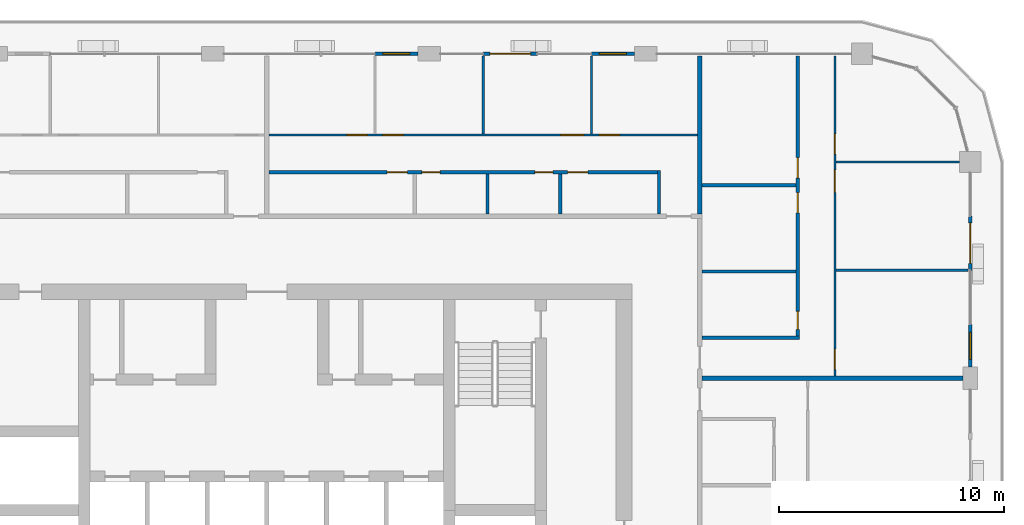
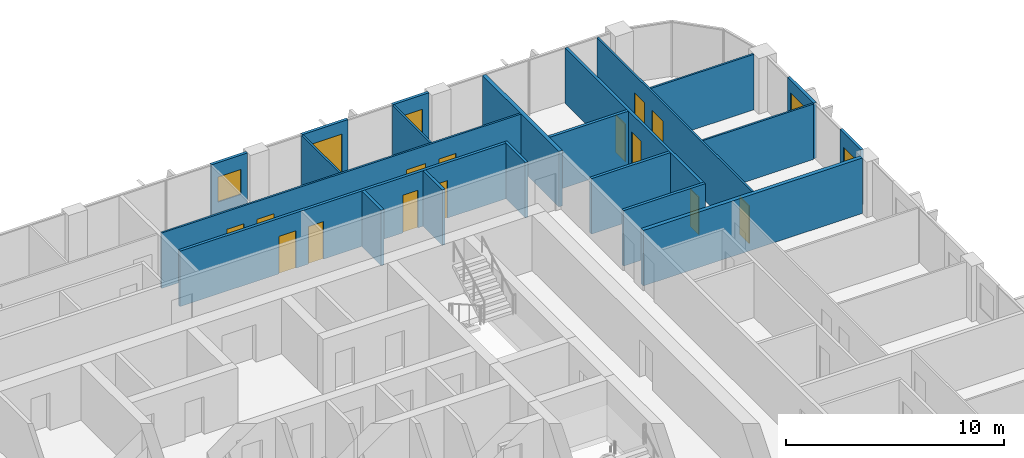
# One storey, part 15 of 22: 21 walls, 16 doors, 3 windows, 19 openings.
"""IFC4 building model written with IfcOpenShell, lengths in metres."""

from ifc_helpers import new_model, si_unit, direction, frame, frame_2d, origin, place, context, subcontext, project, spatial, rectangle, extrude, material, layer, layer_set, type_object, element, fill, save


model = new_model("IFC4")

# Units and contexts
model_context = context("Model", 3, precision=1e-05, world=origin(), true_north=direction((0.0, 1.0)))
body_context = subcontext(model_context, "Body", "Model", "MODEL_VIEW")
ifc_project = project(units=[si_unit("LENGTHUNIT", "METRE"), si_unit("AREAUNIT", "SQUARE_METRE"), si_unit("VOLUMEUNIT", "CUBIC_METRE"), si_unit("PLANEANGLEUNIT", "RADIAN"), si_unit("MASSUNIT", "GRAM", prefix="KILO")], contexts=[model_context])

# Site, building, storey
site_placement = place(None, origin())
site = spatial("IfcSite", under=ifc_project, at=site_placement, CompositionType="ELEMENT")
building_placement = place(site_placement, origin())
building = spatial("IfcBuilding", under=site, at=building_placement, Name="Madar Terraces", CompositionType="ELEMENT")
storey_placement = place(building_placement, frame((0.0, 0.0, 199.89990234375)))
storey = spatial("IfcBuildingStorey", under=building, at=storey_placement, Name="L52", CompositionType="ELEMENT", Elevation=199.89990234375)

# Wall, opening, window
ifc_material_1 = material(Name="Aluminium composite panel, black, over insulated backing", Category="aluminium")
ifc_layer_1 = layer(ifc_material_1, 0.14990234375)
ifc_layer_set_1 = layer_set([ifc_layer_1], Name="Facade bay panel 150")
wall_type_1 = type_object("IfcWallType", Name="Facade bay panel 150", PredefinedType="SOLIDWALL", material=ifc_layer_set_1)
wall_1_placement = place(storey_placement, frame((62.39990234375, 34.10009765625, 0.0), z_axis=(0.0, 0.0, 1.0), x_axis=(0.0, 1.0, 0.0)))
wall_1 = element("IfcWall", 1, at=wall_1_placement, inside=storey, type_object=wall_type_1, Name="Facade bay panel", PredefinedType="SOLIDWALL", context=body_context, shape_type="SweptSolid", body=[
    extrude(rectangle(XDim=1.89990234375, YDim=0.14990234375, at=frame_2d((0.949951171875, 0.0))), origin(), (0.0, 0.0, 1.0), 3.10009765625),
])
opening_1_placement = place(wall_1_placement, frame((0.35009765625, 0.0, 0.89990234375)))
opening_1 = element("IfcOpeningElement", 2, at=opening_1_placement, cuts=wall_1, Name="Opening W1", PredefinedType="OPENING", context=body_context, shape_type="SweptSolid", body=[
    extrude(rectangle(XDim=1.199951171875, YDim=1.39990234375, at=frame_2d((0.60009765625, 0.699951171875))), frame((0.0, 0.0849609375, 0.0), z_axis=(0.0, -1.0, 0.0), x_axis=(1.0, 0.0, 0.0)), (0.0, 0.0, 1.0), 0.169921875),
])
ifc_material_2 = material(Name="Glass, clear, with black aluminium frame", Category="aluminium")
window_type = type_object("IfcWindowType", Name="Vent window 1200 x 1400", PartitioningType="SINGLE_PANEL", PredefinedType="WINDOW", material=ifc_material_2)
window_1_placement = place(opening_1_placement, origin())
window_1 = element("IfcWindow", 3, at=window_1_placement, inside=storey, type_object=window_type, Name="Operable vent window", OverallHeight=1.39990234375, OverallWidth=1.199951171875, PartitioningType="SINGLE_PANEL", PredefinedType="WINDOW", context=body_context, shape_type="SweptSolid", body=[
    extrude(rectangle(XDim=1.199951171875, YDim=1.39990234375, at=frame_2d((0.60009765625, 0.699951171875))), frame((0.0, 0.030029296875, 0.0), z_axis=(0.0, -1.0, 0.0), x_axis=(1.0, 0.0, 0.0)), (0.0, 0.0, 1.0), 0.06005859375),
])
fill(opening_1, window_1)

# Wall, opening, door
wall_2_placement = place(storey_placement, frame((62.39990234375, 38.39990234375, 0.0), z_axis=(0.0, 0.0, 1.0), x_axis=(0.0, 1.0, 0.0)))
wall_2 = element("IfcWall", 4, at=wall_2_placement, inside=storey, type_object=wall_type_1, Name="Facade bay panel", PredefinedType="SOLIDWALL", context=body_context, shape_type="SweptSolid", body=[
    extrude(rectangle(XDim=2.400146484375, YDim=0.14990234375, at=frame_2d((1.2001953125, 0.0))), origin(), (0.0, 0.0, 1.0), 3.10009765625),
])
opening_2_placement = place(wall_2_placement, frame((0.300048828125, 0.0, 0.0)))
opening_2 = element("IfcOpeningElement", 5, at=opening_2_placement, cuts=wall_2, Name="Opening ED1", PredefinedType="OPENING", context=body_context, shape_type="SweptSolid", body=[
    extrude(rectangle(XDim=1.800048828125, YDim=2.39990234375, at=frame_2d((0.89990234375, 1.199951171875))), frame((0.0, 0.0849609375, 0.0), z_axis=(0.0, -1.0, 0.0), x_axis=(1.0, 0.0, 0.0)), (0.0, 0.0, 1.0), 0.169921875),
])
ifc_material_3 = material(Name="Glass, clear, with black aluminium frame", Category="aluminium")
door_type_1 = type_object("IfcDoorType", Name="Balcony and terrace sliding door 1800 x 2400", OperationType="SLIDING_TO_LEFT", PredefinedType="DOOR", material=ifc_material_3)
door_1_placement = place(opening_2_placement, origin())
door_1 = element("IfcDoor", 6, at=door_1_placement, inside=storey, type_object=door_type_1, Name="Balcony door", OperationType="SLIDING_TO_LEFT", OverallHeight=2.39990234375, OverallWidth=1.800048828125, PredefinedType="DOOR", context=body_context, shape_type="SweptSolid", body=[
    extrude(rectangle(XDim=1.800048828125, YDim=2.39990234375, at=frame_2d((0.89990234375, 1.199951171875))), frame((0.0, 0.02490234375, 0.0), z_axis=(0.0, -1.0, 0.0), x_axis=(1.0, 0.0, 0.0)), (0.0, 0.0, 1.0), 0.050048828125),
])
fill(opening_2, door_1)

# Wall, opening, window
wall_3_placement = place(storey_placement, frame((47.5, 48.0, 0.0), z_axis=(0.0, 0.0, 1.0), x_axis=(-1.0, 0.0, 0.0)))
wall_3 = element("IfcWall", 7, at=wall_3_placement, inside=storey, type_object=wall_type_1, Name="Facade bay panel", PredefinedType="SOLIDWALL", context=body_context, shape_type="SweptSolid", body=[
    extrude(rectangle(XDim=1.89990234375, YDim=0.14990234375, at=frame_2d((0.949951171875, 0.0))), origin(), (0.0, 0.0, 1.0), 3.10009765625),
])
opening_3_placement = place(wall_3_placement, frame((0.35009765625, 0.0, 0.89990234375)))
opening_3 = element("IfcOpeningElement", 8, at=opening_3_placement, cuts=wall_3, Name="Opening W1", PredefinedType="OPENING", context=body_context, shape_type="SweptSolid", body=[
    extrude(rectangle(XDim=1.199951171875, YDim=1.39990234375, at=frame_2d((0.60009765625, 0.699951171875))), frame((0.0, 0.0849609375, 0.0), z_axis=(0.0, -1.0, 0.0), x_axis=(1.0, 0.0, 0.0)), (0.0, 0.0, 1.0), 0.169921875),
])
window_2_placement = place(opening_3_placement, origin())
window_2 = element("IfcWindow", 9, at=window_2_placement, inside=storey, type_object=window_type, Name="Operable vent window", OverallHeight=1.39990234375, OverallWidth=1.199951171875, PartitioningType="SINGLE_PANEL", PredefinedType="WINDOW", context=body_context, shape_type="SweptSolid", body=[
    extrude(rectangle(XDim=1.199951171875, YDim=1.39990234375, at=frame_2d((0.60009765625, 0.699951171875))), frame((0.0, 0.030029296875, 0.0), z_axis=(0.0, -1.0, 0.0), x_axis=(1.0, 0.0, 0.0)), (0.0, 0.0, 1.0), 0.06005859375),
])
fill(opening_3, window_2)

# Wall, opening, door
wall_4_placement = place(storey_placement, frame((43.199951171875, 48.0, 0.0), z_axis=(0.0, 0.0, 1.0), x_axis=(-1.0, 0.0, 0.0)))
wall_4 = element("IfcWall", 10, at=wall_4_placement, inside=storey, type_object=wall_type_1, Name="Facade bay panel", PredefinedType="SOLIDWALL", context=body_context, shape_type="SweptSolid", body=[
    extrude(rectangle(XDim=2.39990234375, YDim=0.14990234375, at=frame_2d((1.199951171875, 0.0))), origin(), (0.0, 0.0, 1.0), 3.10009765625),
])
opening_4_placement = place(wall_4_placement, frame((0.300048828125, 0.0, 0.0)))
opening_4 = element("IfcOpeningElement", 11, at=opening_4_placement, cuts=wall_4, Name="Opening ED1", PredefinedType="OPENING", context=body_context, shape_type="SweptSolid", body=[
    extrude(rectangle(XDim=1.800048828125, YDim=2.39990234375, at=frame_2d((0.89990234375, 1.199951171875))), frame((0.0, 0.0849609375, 0.0), z_axis=(0.0, -1.0, 0.0), x_axis=(1.0, 0.0, 0.0)), (0.0, 0.0, 1.0), 0.169921875),
])
door_2_placement = place(opening_4_placement, origin())
door_2 = element("IfcDoor", 12, at=door_2_placement, inside=storey, type_object=door_type_1, Name="Balcony door", OperationType="SLIDING_TO_RIGHT", OverallHeight=2.39990234375, OverallWidth=1.800048828125, PredefinedType="DOOR", context=body_context, shape_type="SweptSolid", body=[
    extrude(rectangle(XDim=1.800048828125, YDim=2.39990234375, at=frame_2d((0.89990234375, 1.199951171875))), frame((0.0, 0.02490234375, 0.0), z_axis=(0.0, -1.0, 0.0), x_axis=(1.0, 0.0, 0.0)), (0.0, 0.0, 1.0), 0.050048828125),
])
fill(opening_4, door_2)

# Wall, opening, window
wall_5_placement = place(storey_placement, frame((37.89990234375, 48.0, 0.0), z_axis=(0.0, 0.0, 1.0), x_axis=(-1.0, 0.0, 0.0)))
wall_5 = element("IfcWall", 13, at=wall_5_placement, inside=storey, type_object=wall_type_1, Name="Facade bay panel", PredefinedType="SOLIDWALL", context=body_context, shape_type="SweptSolid", body=[
    extrude(rectangle(XDim=1.89990234375, YDim=0.14990234375, at=frame_2d((0.949951171875, 0.0))), origin(), (0.0, 0.0, 1.0), 3.10009765625),
])
opening_5_placement = place(wall_5_placement, frame((0.35009765625, 0.0, 0.89990234375)))
opening_5 = element("IfcOpeningElement", 14, at=opening_5_placement, cuts=wall_5, Name="Opening W1", PredefinedType="OPENING", context=body_context, shape_type="SweptSolid", body=[
    extrude(rectangle(XDim=1.199951171875, YDim=1.39990234375, at=frame_2d((0.60009765625, 0.699951171875))), frame((0.0, 0.0849609375, 0.0), z_axis=(0.0, -1.0, 0.0), x_axis=(1.0, 0.0, 0.0)), (0.0, 0.0, 1.0), 0.169921875),
])
window_3_placement = place(opening_5_placement, origin())
window_3 = element("IfcWindow", 15, at=window_3_placement, inside=storey, type_object=window_type, Name="Operable vent window", OverallHeight=1.39990234375, OverallWidth=1.199951171875, PartitioningType="SINGLE_PANEL", PredefinedType="WINDOW", context=body_context, shape_type="SweptSolid", body=[
    extrude(rectangle(XDim=1.199951171875, YDim=1.39990234375, at=frame_2d((0.60009765625, 0.699951171875))), frame((0.0, 0.030029296875, 0.0), z_axis=(0.0, -1.0, 0.0), x_axis=(1.0, 0.0, 0.0)), (0.0, 0.0, 1.0), 0.06005859375),
])
fill(opening_5, window_3)

# Walls
ifc_material_4 = material(Name="Gypsum board on steel studs", Category="steel")
ifc_layer_2 = layer(ifc_material_4, 0.10009765625)
ifc_layer_set_2 = layer_set([ifc_layer_2], Name="Flat partition 100")
wall_type_2 = type_object("IfcWallType", Name="Flat partition 100", PredefinedType="PARTITIONING", material=ifc_layer_set_2)
wall_6_placement = place(storey_placement, frame((56.449951171875, 38.39990234375, 0.0), z_axis=(0.0, 0.0, 1.0), x_axis=(1.0, 0.0, 0.0)))
element("IfcWall", 16, at=wall_6_placement, inside=storey, type_object=wall_type_2, Name="Flat partition 100", PredefinedType="PARTITIONING", context=body_context, shape_type="SweptSolid", body=[
    extrude(rectangle(XDim=5.85009765625, YDim=0.10009765625, at=frame_2d((2.925048828125, 0.0))), origin(), (0.0, 0.0, 1.0), 3.10009765625),
])
wall_7_placement = place(storey_placement, frame((56.449951171875, 43.199951171875, 0.0), z_axis=(0.0, 0.0, 1.0), x_axis=(1.0, 0.0, 0.0)))
element("IfcWall", 17, at=wall_7_placement, inside=storey, type_object=wall_type_2, Name="Flat partition 100", PredefinedType="PARTITIONING", context=body_context, shape_type="SweptSolid", body=[
    extrude(rectangle(XDim=5.47509765625, YDim=0.10009765625, at=frame_2d((2.737548828125, 0.0))), origin(), (0.0, 0.0, 1.0), 3.10009765625),
])

# Wall, openings, doors
wall_8_placement = place(storey_placement, frame((56.39990234375, 47.89990234375, 0.0), z_axis=(0.0, 0.0, 1.0), x_axis=(0.0, -1.0, 0.0)))
wall_8 = element("IfcWall", 18, at=wall_8_placement, inside=storey, type_object=wall_type_2, Name="Flat partition 100", PredefinedType="PARTITIONING", context=body_context, shape_type="SweptSolid", body=[
    extrude(rectangle(XDim=14.199951171875, YDim=0.10009765625, at=frame_2d((7.10009765625, 0.0))), origin(), (0.0, 0.0, 1.0), 3.10009765625),
])
opening_6_placement = place(wall_8_placement, frame((13.0, 0.0, 0.0)))
opening_6 = element("IfcOpeningElement", 19, at=opening_6_placement, cuts=wall_8, Name="Opening D2", PredefinedType="OPENING", context=body_context, shape_type="SweptSolid", body=[
    extrude(rectangle(XDim=0.89990234375, YDim=2.10009765625, at=frame_2d((0.449951171875, 1.050048828125))), frame((0.0, 0.06005859375, 0.0), z_axis=(0.0, -1.0, 0.0), x_axis=(1.0, 0.0, 0.0)), (0.0, 0.0, 1.0), 0.1201171875),
])
opening_7_placement = place(wall_8_placement, frame((5.050048828125, 0.0, 0.0)))
opening_7 = element("IfcOpeningElement", 20, at=opening_7_placement, cuts=wall_8, Name="Opening D3", PredefinedType="OPENING", context=body_context, shape_type="SweptSolid", body=[
    extrude(rectangle(XDim=1.0, YDim=2.10009765625, at=frame_2d((0.5, 1.050048828125))), frame((0.0, 0.06005859375, 0.0), z_axis=(0.0, -1.0, 0.0), x_axis=(1.0, 0.0, 0.0)), (0.0, 0.0, 1.0), 0.1201171875),
])
opening_8_placement = place(wall_8_placement, frame((3.449951171875, 0.0, 0.0)))
opening_8 = element("IfcOpeningElement", 21, at=opening_8_placement, cuts=wall_8, Name="Opening D2", PredefinedType="OPENING", context=body_context, shape_type="SweptSolid", body=[
    extrude(rectangle(XDim=0.89990234375, YDim=2.10009765625, at=frame_2d((0.449951171875, 1.050048828125))), frame((0.0, 0.06005859375, 0.0), z_axis=(0.0, -1.0, 0.0), x_axis=(1.0, 0.0, 0.0)), (0.0, 0.0, 1.0), 0.1201171875),
])
ifc_material_5 = material(Name="Timber door leaf", Category="wood")
door_type_2 = type_object("IfcDoorType", Name="Flat living room door 1000", OperationType="NOTDEFINED", PredefinedType="DOOR", material=ifc_material_5)
door_3_placement = place(opening_7_placement, origin())
door_3 = element("IfcDoor", 22, at=door_3_placement, inside=storey, type_object=door_type_2, Name="Flat living room door 1000", OperationType="SINGLE_SWING_LEFT", OverallHeight=2.10009765625, OverallWidth=1.0, PredefinedType="DOOR", context=body_context, shape_type="SweptSolid", body=[
    extrude(rectangle(XDim=1.0, YDim=2.10009765625, at=frame_2d((0.5, 1.050048828125))), frame((0.0, 0.02490234375, 0.0), z_axis=(0.0, -1.0, 0.0), x_axis=(1.0, 0.0, 0.0)), (0.0, 0.0, 1.0), 0.050048828125),
])
fill(opening_7, door_3)
ifc_material_6 = material(Name="Timber door leaf", Category="wood")
door_type_3 = type_object("IfcDoorType", Name="Flat room door 900", OperationType="NOTDEFINED", PredefinedType="DOOR", material=ifc_material_6)
door_4_placement = place(opening_6_placement, origin())
door_4 = element("IfcDoor", 23, at=door_4_placement, inside=storey, type_object=door_type_3, Name="Flat room door 900", OperationType="SINGLE_SWING_RIGHT", OverallHeight=2.10009765625, OverallWidth=0.89990234375, PredefinedType="DOOR", context=body_context, shape_type="SweptSolid", body=[
    extrude(rectangle(XDim=0.89990234375, YDim=2.10009765625, at=frame_2d((0.449951171875, 1.050048828125))), frame((0.0, 0.02490234375, 0.0), z_axis=(0.0, -1.0, 0.0), x_axis=(1.0, 0.0, 0.0)), (0.0, 0.0, 1.0), 0.050048828125),
])
fill(opening_6, door_4)
door_5_placement = place(opening_8_placement, origin())
door_5 = element("IfcDoor", 24, at=door_5_placement, inside=storey, type_object=door_type_3, Name="Flat room door 900", OperationType="SINGLE_SWING_RIGHT", OverallHeight=2.10009765625, OverallWidth=0.89990234375, PredefinedType="DOOR", context=body_context, shape_type="SweptSolid", body=[
    extrude(rectangle(XDim=0.89990234375, YDim=2.10009765625, at=frame_2d((0.449951171875, 1.050048828125))), frame((0.0, 0.02490234375, 0.0), z_axis=(0.0, -1.0, 0.0), x_axis=(1.0, 0.0, 0.0)), (0.0, 0.0, 1.0), 0.050048828125),
])
fill(opening_8, door_5)

# Walls
for number, where, z_axis, x_axis, name in (
    (25, (45.60009765625, 44.449951171875, 0.0), (0.0, 0.0, 1.0), (0.0, 1.0, 0.0), "Flat partition 100"),
    (26, (40.800048828125, 44.449951171875, 0.0), (0.0, 0.0, 1.0), (0.0, 1.0, 0.0), "Flat partition 100"),
):
    element("IfcWall", number, at=place(storey_placement, frame(where, z_axis=z_axis, x_axis=x_axis)), inside=storey, type_object=wall_type_2, Name=name, PredefinedType="PARTITIONING", context=body_context, shape_type="SweptSolid", body=[
        extrude(rectangle(XDim=3.449951171875, YDim=0.10009765625, at=frame_2d((1.72509765625, 0.0))), origin(), (0.0, 0.0, 1.0), 3.10009765625),
    ])

# Wall, openings, doors
wall_9_placement = place(storey_placement, frame((31.300048828125, 44.39990234375, 0.0), z_axis=(0.0, 0.0, 1.0), x_axis=(1.0, 0.0, 0.0)))
wall_9 = element("IfcWall", 27, at=wall_9_placement, inside=storey, type_object=wall_type_2, Name="Flat partition 100", PredefinedType="PARTITIONING", context=body_context, shape_type="SweptSolid", body=[
    extrude(rectangle(XDim=19.0, YDim=0.10009765625, at=frame_2d((9.5, 0.0))), origin(), (0.0, 0.0, 1.0), 3.10009765625),
])
opening_9_placement = place(wall_9_placement, frame((14.64990234375, 0.0, 0.0)))
opening_9 = element("IfcOpeningElement", 28, at=opening_9_placement, cuts=wall_9, Name="Opening D2", PredefinedType="OPENING", context=body_context, shape_type="SweptSolid", body=[
    extrude(rectangle(XDim=0.89990234375, YDim=2.10009765625, at=frame_2d((0.449951171875, 1.050048828125))), frame((0.0, 0.06005859375, 0.0), z_axis=(0.0, -1.0, 0.0), x_axis=(1.0, 0.0, 0.0)), (0.0, 0.0, 1.0), 0.1201171875),
])
opening_10_placement = place(wall_9_placement, frame((12.949951171875, 0.0, 0.0)))
opening_10 = element("IfcOpeningElement", 29, at=opening_10_placement, cuts=wall_9, Name="Opening D3", PredefinedType="OPENING", context=body_context, shape_type="SweptSolid", body=[
    extrude(rectangle(XDim=1.0, YDim=2.10009765625, at=frame_2d((0.5, 1.050048828125))), frame((0.0, 0.06005859375, 0.0), z_axis=(0.0, -1.0, 0.0), x_axis=(1.0, 0.0, 0.0)), (0.0, 0.0, 1.0), 0.1201171875),
])
opening_11_placement = place(wall_9_placement, frame((5.050048828125, 0.0, 0.0)))
opening_11 = element("IfcOpeningElement", 30, at=opening_11_placement, cuts=wall_9, Name="Opening D2", PredefinedType="OPENING", context=body_context, shape_type="SweptSolid", body=[
    extrude(rectangle(XDim=0.89990234375, YDim=2.10009765625, at=frame_2d((0.449951171875, 1.050048828125))), frame((0.0, 0.06005859375, 0.0), z_axis=(0.0, -1.0, 0.0), x_axis=(1.0, 0.0, 0.0)), (0.0, 0.0, 1.0), 0.1201171875),
])
opening_12_placement = place(wall_9_placement, frame((3.449951171875, 0.0, 0.0)))
opening_12 = element("IfcOpeningElement", 31, at=opening_12_placement, cuts=wall_9, Name="Opening D2", PredefinedType="OPENING", context=body_context, shape_type="SweptSolid", body=[
    extrude(rectangle(XDim=0.89990234375, YDim=2.10009765625, at=frame_2d((0.449951171875, 1.050048828125))), frame((0.0, 0.06005859375, 0.0), z_axis=(0.0, -1.0, 0.0), x_axis=(1.0, 0.0, 0.0)), (0.0, 0.0, 1.0), 0.1201171875),
])
door_6_placement = place(opening_10_placement, origin())
door_6 = element("IfcDoor", 32, at=door_6_placement, inside=storey, type_object=door_type_2, Name="Flat living room door 1000", OperationType="SINGLE_SWING_RIGHT", OverallHeight=2.10009765625, OverallWidth=1.0, PredefinedType="DOOR", context=body_context, shape_type="SweptSolid", body=[
    extrude(rectangle(XDim=1.0, YDim=2.10009765625, at=frame_2d((0.5, 1.050048828125))), frame((0.0, 0.02490234375, 0.0), z_axis=(0.0, -1.0, 0.0), x_axis=(1.0, 0.0, 0.0)), (0.0, 0.0, 1.0), 0.050048828125),
])
fill(opening_10, door_6)
door_7_placement = place(opening_9_placement, origin())
door_7 = element("IfcDoor", 33, at=door_7_placement, inside=storey, type_object=door_type_3, Name="Flat room door 900", OperationType="SINGLE_SWING_LEFT", OverallHeight=2.10009765625, OverallWidth=0.89990234375, PredefinedType="DOOR", context=body_context, shape_type="SweptSolid", body=[
    extrude(rectangle(XDim=0.89990234375, YDim=2.10009765625, at=frame_2d((0.449951171875, 1.050048828125))), frame((0.0, 0.02490234375, 0.0), z_axis=(0.0, -1.0, 0.0), x_axis=(1.0, 0.0, 0.0)), (0.0, 0.0, 1.0), 0.050048828125),
])
fill(opening_9, door_7)
door_8_placement = place(opening_11_placement, origin())
door_8 = element("IfcDoor", 34, at=door_8_placement, inside=storey, type_object=door_type_3, Name="Flat room door 900", OperationType="SINGLE_SWING_LEFT", OverallHeight=2.10009765625, OverallWidth=0.89990234375, PredefinedType="DOOR", context=body_context, shape_type="SweptSolid", body=[
    extrude(rectangle(XDim=0.89990234375, YDim=2.10009765625, at=frame_2d((0.449951171875, 1.050048828125))), frame((0.0, 0.02490234375, 0.0), z_axis=(0.0, -1.0, 0.0), x_axis=(1.0, 0.0, 0.0)), (0.0, 0.0, 1.0), 0.050048828125),
])
fill(opening_11, door_8)
door_9_placement = place(opening_12_placement, origin())
door_9 = element("IfcDoor", 35, at=door_9_placement, inside=storey, type_object=door_type_3, Name="Flat room door 900", OperationType="SINGLE_SWING_RIGHT", OverallHeight=2.10009765625, OverallWidth=0.89990234375, PredefinedType="DOOR", context=body_context, shape_type="SweptSolid", body=[
    extrude(rectangle(XDim=0.89990234375, YDim=2.10009765625, at=frame_2d((0.449951171875, 1.050048828125))), frame((0.0, 0.02490234375, 0.0), z_axis=(0.0, -1.0, 0.0), x_axis=(1.0, 0.0, 0.0)), (0.0, 0.0, 1.0), 0.050048828125),
])
fill(opening_12, door_9)

# Walls
ifc_material_7 = material(Name="Lightweight blockwork", Category="masonry")
ifc_layer_3 = layer(ifc_material_7, 0.199951171875)
ifc_layer_set_3 = layer_set([ifc_layer_3], Name="Flat party and entrance wall 200")
wall_type_3 = type_object("IfcWallType", Name="Flat party and entrance wall 200", PredefinedType="PARTITIONING", material=ifc_layer_set_3)
wall_10_placement = place(storey_placement, frame((50.5, 33.60009765625, 0.0), z_axis=(0.0, 0.0, 1.0), x_axis=(1.0, 0.0, 0.0)))
element("IfcWall", 36, at=wall_10_placement, inside=storey, type_object=wall_type_3, Name="Flat party and entrance wall 200", PredefinedType="PARTITIONING", context=body_context, shape_type="SweptSolid", body=[
    extrude(rectangle(XDim=11.574951171875, YDim=0.199951171875, at=frame_2d((5.78759765625, 0.0))), origin(), (0.0, 0.0, 1.0), 3.10009765625),
])
wall_11_placement = place(storey_placement, frame((50.39990234375, 40.89990234375, 0.0), z_axis=(0.0, 0.0, 1.0), x_axis=(0.0, 1.0, 0.0)))
element("IfcWall", 37, at=wall_11_placement, inside=storey, type_object=wall_type_3, Name="Flat party and entrance wall 200", PredefinedType="PARTITIONING", context=body_context, shape_type="SweptSolid", body=[
    extrude(rectangle(XDim=7.0, YDim=0.199951171875, at=frame_2d((3.5, 0.0))), origin(), (0.0, 0.0, 1.0), 3.10009765625),
])
ifc_material_8 = material(Name="Lightweight blockwork", Category="masonry")
ifc_layer_4 = layer(ifc_material_8, 0.14990234375)
ifc_layer_set_4 = layer_set([ifc_layer_4], Name="Flat wet-room partition 150")
wall_type_4 = type_object("IfcWallType", Name="Flat wet-room partition 150", PredefinedType="PARTITIONING", material=ifc_layer_set_4)
for number, where, z_axis, x_axis, name in (
    (38, (50.5, 38.34228515625, 0.0), (0.0, 0.0, 1.0), (1.0, 0.0, 0.0), "Flat wet-room partition 150"),
    (39, (50.5, 42.165283203125, 0.0), (0.0, 0.0, 1.0), (1.0, 0.0, 0.0), "Flat wet-room partition 150"),
):
    element("IfcWall", number, at=place(storey_placement, frame(where, z_axis=z_axis, x_axis=x_axis)), inside=storey, type_object=wall_type_4, Name=name, PredefinedType="PARTITIONING", context=body_context, shape_type="SweptSolid", body=[
        extrude(rectangle(XDim=4.175048828125, YDim=0.14990234375, at=frame_2d((2.08740234375, 0.0))), origin(), (0.0, 0.0, 1.0), 3.10009765625),
    ])
wall_12_placement = place(storey_placement, frame((50.5, 35.39990234375, 0.0), z_axis=(0.0, 0.0, 1.0), x_axis=(1.0, 0.0, 0.0)))
element("IfcWall", 40, at=wall_12_placement, inside=storey, type_object=wall_type_4, Name="Flat wet-room partition 150", PredefinedType="PARTITIONING", context=body_context, shape_type="SweptSolid", body=[
    extrude(rectangle(XDim=4.324951171875, YDim=0.14990234375, at=frame_2d((2.16259765625, 0.0))), origin(), (0.0, 0.0, 1.0), 3.10009765625),
])

# Wall, openings, doors
wall_13_placement = place(storey_placement, frame((54.75, 35.47509765625, 0.0), z_axis=(0.0, 0.0, 1.0), x_axis=(0.0, 1.0, 0.0)))
wall_13 = element("IfcWall", 41, at=wall_13_placement, inside=storey, type_object=wall_type_4, Name="Flat wet-room partition 150", PredefinedType="PARTITIONING", context=body_context, shape_type="SweptSolid", body=[
    extrude(rectangle(XDim=12.4248046875, YDim=0.14990234375, at=frame_2d((6.21240234375, 0.0))), origin(), (0.0, 0.0, 1.0), 3.10009765625),
])
opening_13_placement = place(wall_13_placement, frame((0.300048828125, 0.0, 0.0)))
opening_13 = element("IfcOpeningElement", 42, at=opening_13_placement, cuts=wall_13, Name="Opening D4", PredefinedType="OPENING", context=body_context, shape_type="SweptSolid", body=[
    extrude(rectangle(XDim=0.800048828125, YDim=2.10009765625, at=frame_2d((0.39990234375, 1.050048828125))), frame((0.0, 0.0849609375, 0.0), z_axis=(0.0, -1.0, 0.0), x_axis=(1.0, 0.0, 0.0)), (0.0, 0.0, 1.0), 0.169921875),
])
opening_14_placement = place(wall_13_placement, frame((5.46533203125, 0.0, 0.0)))
opening_14 = element("IfcOpeningElement", 43, at=opening_14_placement, cuts=wall_13, Name="Opening D5", PredefinedType="OPENING", context=body_context, shape_type="SweptSolid", body=[
    extrude(rectangle(XDim=0.89990234375, YDim=2.10009765625, at=frame_2d((0.449951171875, 1.050048828125))), frame((0.0, 0.0849609375, 0.0), z_axis=(0.0, -1.0, 0.0), x_axis=(1.0, 0.0, 0.0)), (0.0, 0.0, 1.0), 0.169921875),
])
opening_15_placement = place(wall_13_placement, frame((7.015380859375, 0.0, 0.0)))
opening_15 = element("IfcOpeningElement", 44, at=opening_15_placement, cuts=wall_13, Name="Opening D2", PredefinedType="OPENING", context=body_context, shape_type="SweptSolid", body=[
    extrude(rectangle(XDim=0.89990234375, YDim=2.10009765625, at=frame_2d((0.449951171875, 1.050048828125))), frame((0.0, 0.0849609375, 0.0), z_axis=(0.0, -1.0, 0.0), x_axis=(1.0, 0.0, 0.0)), (0.0, 0.0, 1.0), 0.169921875),
])
ifc_material_9 = material(Name="Timber door leaf", Category="wood")
door_type_4 = type_object("IfcDoorType", Name="Flat accessible bathroom door 900", OperationType="NOTDEFINED", PredefinedType="DOOR", material=ifc_material_9)
door_10_placement = place(opening_14_placement, origin())
door_10 = element("IfcDoor", 45, at=door_10_placement, inside=storey, type_object=door_type_4, Name="Flat accessible bathroom door 900", OperationType="SINGLE_SWING_RIGHT", OverallHeight=2.10009765625, OverallWidth=0.89990234375, PredefinedType="DOOR", context=body_context, shape_type="SweptSolid", body=[
    extrude(rectangle(XDim=0.89990234375, YDim=2.10009765625, at=frame_2d((0.449951171875, 1.050048828125))), frame((0.0, 0.02490234375, 0.0), z_axis=(0.0, -1.0, 0.0), x_axis=(1.0, 0.0, 0.0)), (0.0, 0.0, 1.0), 0.050048828125),
])
fill(opening_14, door_10)
ifc_material_10 = material(Name="Timber door leaf", Category="wood")
door_type_5 = type_object("IfcDoorType", Name="Flat bathroom door 800", OperationType="NOTDEFINED", PredefinedType="DOOR", material=ifc_material_10)
door_11_placement = place(opening_13_placement, origin())
door_11 = element("IfcDoor", 46, at=door_11_placement, inside=storey, type_object=door_type_5, Name="Flat bathroom door 800", OperationType="SINGLE_SWING_LEFT", OverallHeight=2.10009765625, OverallWidth=0.800048828125, PredefinedType="DOOR", context=body_context, shape_type="SweptSolid", body=[
    extrude(rectangle(XDim=0.800048828125, YDim=2.10009765625, at=frame_2d((0.39990234375, 1.050048828125))), frame((0.0, 0.02490234375, 0.0), z_axis=(0.0, -1.0, 0.0), x_axis=(1.0, 0.0, 0.0)), (0.0, 0.0, 1.0), 0.050048828125),
])
fill(opening_13, door_11)
door_12_placement = place(opening_15_placement, origin())
door_12 = element("IfcDoor", 47, at=door_12_placement, inside=storey, type_object=door_type_3, Name="Flat room door 900", OperationType="SINGLE_SWING_LEFT", OverallHeight=2.10009765625, OverallWidth=0.89990234375, PredefinedType="DOOR", context=body_context, shape_type="SweptSolid", body=[
    extrude(rectangle(XDim=0.89990234375, YDim=2.10009765625, at=frame_2d((0.449951171875, 1.050048828125))), frame((0.0, 0.02490234375, 0.0), z_axis=(0.0, -1.0, 0.0), x_axis=(1.0, 0.0, 0.0)), (0.0, 0.0, 1.0), 0.050048828125),
])
fill(opening_15, door_12)

# Walls
for number, where, z_axis, x_axis, name in (
    (48, (44.21875, 40.89990234375, 0.0), (0.0, 0.0, 1.0), (0.0, 1.0, 0.0), "Flat wet-room partition 150"),
    (49, (40.989013671875, 40.89990234375, 0.0), (0.0, 0.0, 1.0), (0.0, 1.0, 0.0), "Flat wet-room partition 150"),
):
    element("IfcWall", number, at=place(storey_placement, frame(where, z_axis=z_axis, x_axis=x_axis)), inside=storey, type_object=wall_type_4, Name=name, PredefinedType="PARTITIONING", context=body_context, shape_type="SweptSolid", body=[
        extrude(rectangle(XDim=1.775146484375, YDim=0.14990234375, at=frame_2d((0.8876953125, 0.0))), origin(), (0.0, 0.0, 1.0), 3.10009765625),
    ])
wall_14_placement = place(storey_placement, frame((48.60009765625, 40.89990234375, 0.0), z_axis=(0.0, 0.0, 1.0), x_axis=(0.0, 1.0, 0.0)))
element("IfcWall", 50, at=wall_14_placement, inside=storey, type_object=wall_type_4, Name="Flat wet-room partition 150", PredefinedType="PARTITIONING", context=body_context, shape_type="SweptSolid", body=[
    extrude(rectangle(XDim=1.925048828125, YDim=0.14990234375, at=frame_2d((0.96240234375, 0.0))), origin(), (0.0, 0.0, 1.0), 3.10009765625),
])

# Wall, openings, doors
wall_15_placement = place(storey_placement, frame((48.52490234375, 42.75, 0.0), z_axis=(0.0, 0.0, 1.0), x_axis=(-1.0, 0.0, 0.0)))
wall_15 = element("IfcWall", 51, at=wall_15_placement, inside=storey, type_object=wall_type_4, Name="Flat wet-room partition 150", PredefinedType="PARTITIONING", context=body_context, shape_type="SweptSolid", body=[
    extrude(rectangle(XDim=17.224853515625, YDim=0.14990234375, at=frame_2d((8.6123046875, 0.0))), origin(), (0.0, 0.0, 1.0), 3.10009765625),
])
opening_16_placement = place(wall_15_placement, frame((3.081298828125, 0.0, 0.0)))
opening_16 = element("IfcOpeningElement", 52, at=opening_16_placement, cuts=wall_15, Name="Opening D5", PredefinedType="OPENING", context=body_context, shape_type="SweptSolid", body=[
    extrude(rectangle(XDim=0.89990234375, YDim=2.10009765625, at=frame_2d((0.449951171875, 1.050048828125))), frame((0.0, 0.0849609375, 0.0), z_axis=(0.0, -1.0, 0.0), x_axis=(1.0, 0.0, 0.0)), (0.0, 0.0, 1.0), 0.169921875),
])
opening_17_placement = place(wall_15_placement, frame((4.631103515625, 0.0, 0.0)))
opening_17 = element("IfcOpeningElement", 53, at=opening_17_placement, cuts=wall_15, Name="Opening D7", PredefinedType="OPENING", context=body_context, shape_type="SweptSolid", body=[
    extrude(rectangle(XDim=0.800048828125, YDim=2.10009765625, at=frame_2d((0.39990234375, 1.050048828125))), frame((0.0, 0.0849609375, 0.0), z_axis=(0.0, -1.0, 0.0), x_axis=(1.0, 0.0, 0.0)), (0.0, 0.0, 1.0), 0.169921875),
])
opening_18_placement = place(wall_15_placement, frame((9.640625, 0.0, 0.0)))
opening_18 = element("IfcOpeningElement", 54, at=opening_18_placement, cuts=wall_15, Name="Opening D4", PredefinedType="OPENING", context=body_context, shape_type="SweptSolid", body=[
    extrude(rectangle(XDim=0.800048828125, YDim=2.10009765625, at=frame_2d((0.39990234375, 1.050048828125))), frame((0.0, 0.0849609375, 0.0), z_axis=(0.0, -1.0, 0.0), x_axis=(1.0, 0.0, 0.0)), (0.0, 0.0, 1.0), 0.169921875),
])
opening_19_placement = place(wall_15_placement, frame((11.090576171875, 0.0, 0.0)))
opening_19 = element("IfcOpeningElement", 55, at=opening_19_placement, cuts=wall_15, Name="Opening D2", PredefinedType="OPENING", context=body_context, shape_type="SweptSolid", body=[
    extrude(rectangle(XDim=0.89990234375, YDim=2.10009765625, at=frame_2d((0.449951171875, 1.050048828125))), frame((0.0, 0.0849609375, 0.0), z_axis=(0.0, -1.0, 0.0), x_axis=(1.0, 0.0, 0.0)), (0.0, 0.0, 1.0), 0.169921875),
])
door_13_placement = place(opening_16_placement, origin())
door_13 = element("IfcDoor", 56, at=door_13_placement, inside=storey, type_object=door_type_4, Name="Flat accessible bathroom door 900", OperationType="SINGLE_SWING_RIGHT", OverallHeight=2.10009765625, OverallWidth=0.89990234375, PredefinedType="DOOR", context=body_context, shape_type="SweptSolid", body=[
    extrude(rectangle(XDim=0.89990234375, YDim=2.10009765625, at=frame_2d((0.449951171875, 1.050048828125))), frame((0.0, 0.02490234375, 0.0), z_axis=(0.0, -1.0, 0.0), x_axis=(1.0, 0.0, 0.0)), (0.0, 0.0, 1.0), 0.050048828125),
])
fill(opening_16, door_13)
door_14_placement = place(opening_18_placement, origin())
door_14 = element("IfcDoor", 57, at=door_14_placement, inside=storey, type_object=door_type_5, Name="Flat bathroom door 800", OperationType="SINGLE_SWING_RIGHT", OverallHeight=2.10009765625, OverallWidth=0.800048828125, PredefinedType="DOOR", context=body_context, shape_type="SweptSolid", body=[
    extrude(rectangle(XDim=0.800048828125, YDim=2.10009765625, at=frame_2d((0.39990234375, 1.050048828125))), frame((0.0, 0.02490234375, 0.0), z_axis=(0.0, -1.0, 0.0), x_axis=(1.0, 0.0, 0.0)), (0.0, 0.0, 1.0), 0.050048828125),
])
fill(opening_18, door_14)
door_15_placement = place(opening_19_placement, origin())
door_15 = element("IfcDoor", 58, at=door_15_placement, inside=storey, type_object=door_type_3, Name="Flat room door 900", OperationType="SINGLE_SWING_LEFT", OverallHeight=2.10009765625, OverallWidth=0.89990234375, PredefinedType="DOOR", context=body_context, shape_type="SweptSolid", body=[
    extrude(rectangle(XDim=0.89990234375, YDim=2.10009765625, at=frame_2d((0.449951171875, 1.050048828125))), frame((0.0, 0.02490234375, 0.0), z_axis=(0.0, -1.0, 0.0), x_axis=(1.0, 0.0, 0.0)), (0.0, 0.0, 1.0), 0.050048828125),
])
fill(opening_19, door_15)
ifc_material_11 = material(Name="Timber door leaf", Category="wood")
door_type_6 = type_object("IfcDoorType", Name="Flat utility door 800", OperationType="NOTDEFINED", PredefinedType="DOOR", material=ifc_material_11)
door_16_placement = place(opening_17_placement, origin())
door_16 = element("IfcDoor", 59, at=door_16_placement, inside=storey, type_object=door_type_6, Name="Flat utility door 800", OperationType="SINGLE_SWING_LEFT", OverallHeight=2.10009765625, OverallWidth=0.800048828125, PredefinedType="DOOR", context=body_context, shape_type="SweptSolid", body=[
    extrude(rectangle(XDim=0.800048828125, YDim=2.10009765625, at=frame_2d((0.39990234375, 1.050048828125))), frame((0.0, 0.02490234375, 0.0), z_axis=(0.0, -1.0, 0.0), x_axis=(1.0, 0.0, 0.0)), (0.0, 0.0, 1.0), 0.050048828125),
])
fill(opening_17, door_16)

save(model, "model.ifc")
